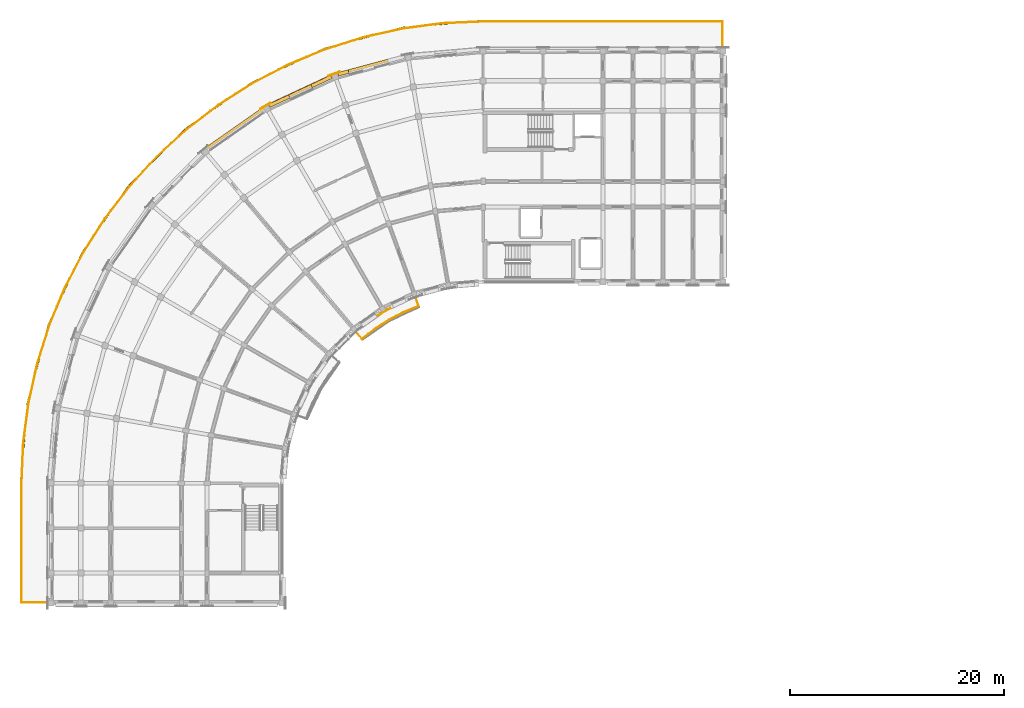
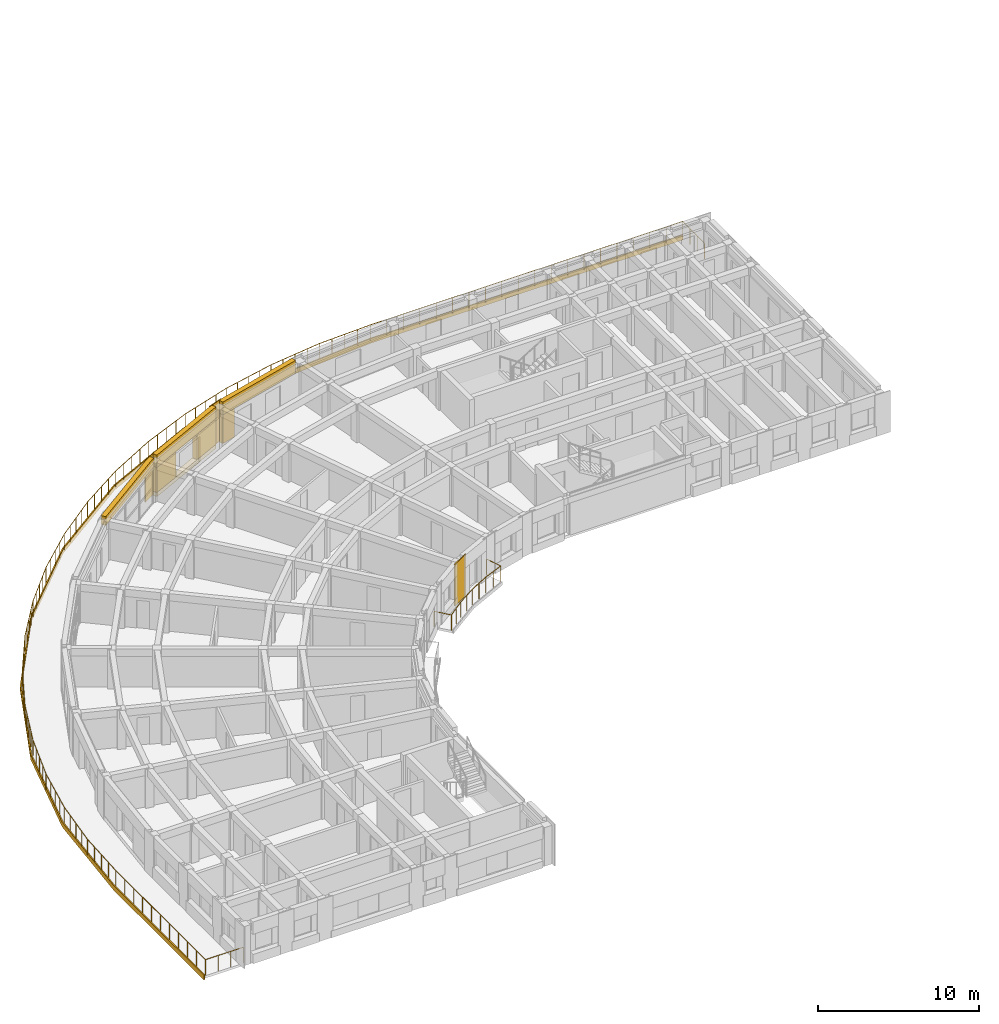
# One storey, part 20 of 23: 11 coverings, 2 railings.
"""IFC4 building model written with IfcOpenShell, lengths in metres."""

from ifc_helpers import new_model, si_unit, direction, frame, origin, origin_2d, place, context, subcontext, project, spatial, polyline, circle, outline, extrude, material, layer, layer_set, type_object, element, save


model = new_model("IFC4")

# Units and contexts
model_context = context("Model", 3, precision=1e-05, world=origin(), true_north=direction((0.0, 1.0)))
body_context = subcontext(model_context, "Body", "Model", "MODEL_VIEW")
ifc_project = project(units=[si_unit("LENGTHUNIT", "METRE"), si_unit("AREAUNIT", "SQUARE_METRE"), si_unit("VOLUMEUNIT", "CUBIC_METRE"), si_unit("PLANEANGLEUNIT", "RADIAN"), si_unit("MASSUNIT", "GRAM", prefix="KILO")], contexts=[model_context])

# Site, building, storey
site_placement = place(None, origin())
site = spatial("IfcSite", under=ifc_project, at=site_placement, CompositionType="ELEMENT")
building_placement = place(site_placement, origin())
building = spatial("IfcBuilding", under=site, at=building_placement, Name="Kiranvali Square Residences", CompositionType="ELEMENT")
storey_placement = place(building_placement, frame((0.0, 0.0, 43.35009765625)))
storey = spatial("IfcBuildingStorey", under=building, at=storey_placement, Name="L13", CompositionType="ELEMENT", Elevation=43.35009765625)

# Coverings
ifc_material_1 = material(Name="Carved Porbandar limestone classical entablature and cornice", Category="masonry")
ifc_layer_1 = layer(ifc_material_1, 0.449951171875)
ifc_layer_set_1 = layer_set([ifc_layer_1], Name="Carved Porbandar limestone classical entablature and cornice")
covering_type_1 = type_object("IfcCoveringType", Name="COV-CLAD-CORN", PredefinedType="CLADDING", material=ifc_layer_set_1)
covering_1_placement = place(storey_placement, frame((0.0, 0.0, -0.280029296875)))
element("IfcCovering", 1, at=covering_1_placement, inside=storey, type_object=covering_type_1, Name="Block A L13 stepped curved terrace stone cornice band", PredefinedType="CLADDING", context=body_context, shape_type="SweptSolid", body=[
    extrude(outline(polyline([(70.60009765625, 131.0849609375), (48.199951171875, 131.0849609375), (40.68359375, 130.427490234375), (33.395751953125, 128.474609375), (26.5576171875, 125.285888671875), (20.376953125, 120.958251953125), (15.041748046875, 115.623046875), (10.714111328125, 109.4423828125), (7.525390625, 102.604248046875), (5.572509765625, 95.31640625), (4.9150390625, 87.800048828125), (4.9150390625, 76.60009765625), (4.998046875, 76.60009765625), (4.998046875, 87.800048828125), (5.654296875, 95.302001953125), (7.603515625, 102.575927734375), (10.785888671875, 109.40087890625), (15.10546875, 115.56982421875), (20.43017578125, 120.89453125), (26.59912109375, 125.214111328125), (33.424072265625, 128.396484375), (40.697998046875, 130.345703125), (48.199951171875, 131.001953125), (70.60009765625, 131.001953125), (70.60009765625, 131.0849609375)])), origin(), (0.0, 0.0, 1.0), 0.35986328125),
])
ifc_material_2 = material(Name="Honed Porbandar limestone ashlar facade cladding", Category="masonry")
ifc_layer_2 = layer(ifc_material_2, 0.3798828125)
ifc_layer_set_2 = layer_set([ifc_layer_2], Name="Honed Porbandar limestone ashlar facade cladding")
covering_type_2 = type_object("IfcCoveringType", Name="COV-CLAD-JAMB", PredefinedType="CLADDING", material=ifc_layer_set_2)
covering_2_placement = place(storey_placement, origin())
element("IfcCovering", 2, at=covering_2_placement, inside=storey, type_object=covering_type_2, Name="L13 deep limestone window jamb reveal A-L13-CRV-01.R", PredefinedType="CLADDING", context=body_context, shape_type="SweptSolid", body=[
    extrude(outline(polyline([(35.587158203125, 126.43310546875), (34.609619140625, 126.17138671875), (34.6962890625, 125.84814453125), (35.673583984375, 126.110107421875), (35.587158203125, 126.43310546875)])), origin(), (0.0, 0.0, 1.0), 2.179931640625),
])
covering_3_placement = place(storey_placement, frame((0.0, 0.0, 0.31201171875)))
element("IfcCovering", 3, at=covering_3_placement, inside=storey, type_object=covering_type_2, Name="L13 deep limestone window jamb reveal A-L13-CRV-02.L", PredefinedType="CLADDING", context=body_context, shape_type="SweptSolid", body=[
    extrude(outline(polyline([(33.9462890625, 125.929931640625), (32.091796875, 125.065185546875), (32.233154296875, 124.761962890625), (34.087646484375, 125.626708984375), (33.9462890625, 125.929931640625)])), origin(), (0.0, 0.0, 1.0), 1.89990234375),
])
covering_4_placement = place(storey_placement, frame((0.0, 0.0, 0.31201171875)))
element("IfcCovering", 4, at=covering_4_placement, inside=storey, type_object=covering_type_2, Name="L13 deep limestone window jamb reveal A-L13-CRV-02.R", PredefinedType="CLADDING", context=body_context, shape_type="SweptSolid", body=[
    extrude(outline(polyline([(30.00732421875, 124.093017578125), (28.153076171875, 123.228271484375), (28.29443359375, 122.92529296875), (30.148681640625, 123.7900390625), (30.00732421875, 124.093017578125)])), origin(), (0.0, 0.0, 1.0), 1.89990234375),
])
ifc_layer_3 = layer(ifc_material_2, 0.06494140625)
ifc_layer_set_3 = layer_set([ifc_layer_3], Name="Honed Porbandar limestone ashlar facade cladding")
covering_type_3 = type_object("IfcCoveringType", Name="COV-CLAD-PIER", PredefinedType="CLADDING", material=ifc_layer_set_3)
covering_5_placement = place(storey_placement, frame((0.0, 0.0, 0.0048828125)))
element("IfcCovering", 5, at=covering_5_placement, inside=storey, type_object=covering_type_3, Name="L13 Classical limestone corner pilaster CLAD-PR-A-L13-A02", PredefinedType="CLADDING", context=body_context, shape_type="SweptSolid", body=[
    extrude(outline(polyline([(34.78662109375, 126.275634765625), (33.74365234375, 125.89599609375), (33.7666015625, 125.832763671875), (34.8095703125, 126.21240234375), (34.78662109375, 126.275634765625)])), origin(), (0.0, 0.0, 1.0), 3.14013671875),
])
covering_6_placement = place(storey_placement, frame((0.0, 0.0, 0.0048828125)))
element("IfcCovering", 6, at=covering_6_placement, inside=storey, type_object=covering_type_3, Name="L13 Classical limestone corner pilaster CLAD-PR-A-L13-A03", PredefinedType="CLADDING", context=body_context, shape_type="SweptSolid", body=[
    extrude(outline(polyline([(28.30908203125, 123.362060546875), (27.347900390625, 122.806884765625), (27.381591796875, 122.74853515625), (28.3427734375, 123.303466796875), (28.30908203125, 123.362060546875)])), origin(), (0.0, 0.0, 1.0), 3.14013671875),
])
ifc_layer_4 = layer(ifc_material_2, 0.050048828125)
ifc_layer_set_4 = layer_set([ifc_layer_4], Name="Honed Porbandar limestone ashlar facade cladding")
covering_type_4 = type_object("IfcCoveringType", Name="COV-CLAD-PIER-IN", PredefinedType="CLADDING", material=ifc_layer_set_4)
covering_7_placement = place(storey_placement, frame((0.0, 0.0, 0.0048828125)))
element("IfcCovering", 7, at=covering_7_placement, inside=storey, type_object=covering_type_4, Name="L13 Classical garden courtyard pilaster CLAD-PRIN-A-L13-A03", PredefinedType="CLADDING", context=body_context, shape_type="SweptSolid", body=[
    extrude(outline(polyline([(38.386962890625, 103.44677734375), (39.55615234375, 104.121826171875), (39.522216796875, 104.18017578125), (38.353271484375, 103.505126953125), (38.386962890625, 103.44677734375)])), origin(), (0.0, 0.0, 1.0), 3.14013671875),
])
ifc_layer_5 = layer(ifc_material_2, 0.360107421875)
ifc_layer_set_5 = layer_set([ifc_layer_5], Name="Honed Porbandar limestone ashlar facade cladding")
covering_type_5 = type_object("IfcCoveringType", Name="COV-CLAD-WALL", PredefinedType="CLADDING", material=ifc_layer_set_5)
covering_8_placement = place(storey_placement, frame((0.0, 0.0, 2.179931640625)))
element("IfcCovering", 8, at=covering_8_placement, inside=storey, type_object=covering_type_5, Name="L13 light limestone spandrel lintel A-L13-CRV-01", PredefinedType="CLADDING", context=body_context, shape_type="SweptSolid", body=[
    extrude(outline(polyline([(40.783935546875, 127.82568359375), (34.609619140625, 126.17138671875), (34.6962890625, 125.84814453125), (40.87060546875, 127.502685546875), (40.783935546875, 127.82568359375)])), origin(), (0.0, 0.0, 1.0), 0.965087890625),
])
covering_9_placement = place(storey_placement, frame((0.0, 0.0, 2.2119140625)))
element("IfcCovering", 9, at=covering_9_placement, inside=storey, type_object=covering_type_5, Name="L13 light limestone spandrel lintel A-L13-CRV-02", PredefinedType="CLADDING", context=body_context, shape_type="SweptSolid", body=[
    extrude(outline(polyline([(33.9462890625, 125.929931640625), (28.153076171875, 123.228271484375), (28.29443359375, 122.92529296875), (34.087646484375, 125.626708984375), (33.9462890625, 125.929931640625)])), origin(), (0.0, 0.0, 1.0), 0.93310546875),
])
covering_10_placement = place(storey_placement, frame((0.0, 0.0, 2.47998046875)))
element("IfcCovering", 10, at=covering_10_placement, inside=storey, type_object=covering_type_5, Name="Block A L13 limestone terrace header 4", PredefinedType="CLADDING", context=body_context, shape_type="SweptSolid", body=[
    extrude(outline(polyline([(27.807861328125, 123.061767578125), (22.039306640625, 119.022705078125), (22.230224609375, 118.749755859375), (27.998779296875, 122.7890625), (27.807861328125, 123.061767578125)])), origin(), (0.0, 0.0, 1.0), 0.6650390625),
])
ifc_layer_6 = layer(ifc_material_2, 0.320068359375)
ifc_layer_set_6 = layer_set([ifc_layer_6], Name="Honed Porbandar limestone ashlar facade cladding")
covering_type_6 = type_object("IfcCoveringType", Name="COV-CLAD-WALL-UP", PredefinedType="CLADDING", material=ifc_layer_set_6)
covering_11_placement = place(storey_placement, frame((0.0, 0.0, 0.0048828125)))
element("IfcCovering", 11, at=covering_11_placement, inside=storey, type_object=covering_type_6, Name="L13 limestone window sill apron A-L13-CRV-02", PredefinedType="CLADDING", context=body_context, shape_type="SweptSolid", body=[
    extrude(outline(polyline([(33.93359375, 125.95703125), (28.140380859375, 123.255615234375), (28.29443359375, 122.92529296875), (34.087646484375, 125.626708984375), (33.93359375, 125.95703125)])), origin(), (0.0, 0.0, 1.0), 0.30712890625),
])

# Railings
ifc_material_3 = material(Name="Powder-coated architectural bronze balustrade", Category="steel")
railing_type_1 = type_object("IfcRailingType", Name="RL-BAL-GOLD-1200", PredefinedType="BALUSTRADE", material=ifc_material_3)
railing_1_placement = place(storey_placement, frame((41.78369140625, 105.4287109375, 0.0)))
element("IfcRailing", 12, at=railing_1_placement, inside=storey, type_object=railing_type_1, Name="Block A L13 garden balcony gold balustrade 1", PredefinedType="BALUSTRADE", context=body_context, shape_type="SweptSolid", body=[
    extrude(circle(Radius=0.02392578125, at=origin_2d()), frame((0.0, 0.0, 1.17578125), z_axis=(0.341964618562, -0.939712828289, 0.0), x_axis=(0.939712828289, 0.341964618562, 0.0)), (0.0, 0.0, 1.0), 1.150146484375),
    extrude(circle(Radius=0.02392578125, at=origin_2d()), frame((0.393310546875, -1.080810546875, 1.17578125), z_axis=(-0.923892883829, -0.382651197843, 0.0), x_axis=(0.382651197843, -0.923892883829, 0.0)), (0.0, 0.0, 1.0), 1.536376953125),
    extrude(circle(Radius=0.02392578125, at=origin_2d()), frame((-1.026123046875, -1.668701171875, 1.17578125), z_axis=(-0.887029366154, -0.461713009976, 0.0), x_axis=(0.461713009976, -0.887029366154, 0.0)), (0.0, 0.0, 1.0), 1.5361328125),
    extrude(circle(Radius=0.02392578125, at=origin_2d()), frame((-2.388671875, -2.3779296875, 1.17578125), z_axis=(-0.843386539688, -0.537307309343, 0.0), x_axis=(0.537307309343, -0.843386539688, 0.0)), (0.0, 0.0, 1.0), 1.5361328125),
    extrude(circle(Radius=0.02392578125, at=origin_2d()), frame((-3.684326171875, -3.203369140625, 1.17578125), z_axis=(-0.793314680996, -0.608811807471, 0.0), x_axis=(0.608811807471, -0.793314680996, 0.0)), (0.0, 0.0, 1.0), 1.536376953125),
    extrude(circle(Radius=0.02392578125, at=origin_2d()), frame((-4.903076171875, -4.138671875, 1.17578125), z_axis=(-0.642853454051, 0.765989188314, 0.0), x_axis=(-0.765989188314, -0.642853454051, 0.0)), (0.0, 0.0, 1.0), 1.14990234375),
    extrude(circle(Radius=0.02099609375, at=origin_2d()), origin(), (0.0, 0.0, 1.0), 1.15185546875),
    extrude(circle(Radius=0.02099609375, at=origin_2d()), frame((0.393310546875, -1.080810546875, 0.0)), (0.0, 0.0, 1.0), 1.15185546875),
    extrude(circle(Radius=0.02099609375, at=origin_2d()), frame((-0.31640625, -1.374755859375, 0.0)), (0.0, 0.0, 1.0), 1.15185546875),
    extrude(circle(Radius=0.02099609375, at=origin_2d()), frame((-1.026123046875, -1.668701171875, 0.0)), (0.0, 0.0, 1.0), 1.15185546875),
    extrude(circle(Radius=0.02099609375, at=origin_2d()), frame((-1.70751953125, -2.0234375, 0.0)), (0.0, 0.0, 1.0), 1.15185546875),
    extrude(circle(Radius=0.02099609375, at=origin_2d()), frame((-2.388671875, -2.3779296875, 0.0)), (0.0, 0.0, 1.0), 1.15185546875),
    extrude(circle(Radius=0.02099609375, at=origin_2d()), frame((-3.03662109375, -2.79052734375, 0.0)), (0.0, 0.0, 1.0), 1.15185546875),
    extrude(circle(Radius=0.02099609375, at=origin_2d()), frame((-3.684326171875, -3.203369140625, 0.0)), (0.0, 0.0, 1.0), 1.15185546875),
    extrude(circle(Radius=0.02099609375, at=origin_2d()), frame((-4.293701171875, -3.6708984375, 0.0)), (0.0, 0.0, 1.0), 1.15185546875),
    extrude(circle(Radius=0.02099609375, at=origin_2d()), frame((-4.903076171875, -4.138671875, 0.0)), (0.0, 0.0, 1.0), 1.15185546875),
    extrude(circle(Radius=0.02099609375, at=origin_2d()), frame((-5.642333984375, -3.2578125, 0.0)), (0.0, 0.0, 1.0), 1.15185546875),
])
railing_type_2 = type_object("IfcRailingType", Name="RL-TER-GOLD-1200", PredefinedType="BALUSTRADE", material=ifc_material_3)
railing_2_placement = place(storey_placement, frame((70.550048828125, 128.239990234375, 0.0)))
element("IfcRailing", 13, at=railing_2_placement, inside=storey, type_object=railing_type_2, Name="Block A L13 stepped curved corner terrace gold balustrade", PredefinedType="BALUSTRADE", context=body_context, shape_type="SweptSolid", body=[
    extrude(circle(Radius=0.02392578125, at=origin_2d()), frame((0.0, 0.0, 1.17578125), z_axis=(0.0, 1.0, 0.0), x_axis=(-1.0, 0.0, 0.0)), (0.0, 0.0, 1.0), 2.699951171875),
    extrude(circle(Radius=0.02392578125, at=origin_2d()), frame((0.0, 2.699951171875, 1.17578125), z_axis=(-1.0, 0.0, 0.0), x_axis=(0.0, -1.0, 0.0)), (0.0, 0.0, 1.0), 22.35009765625),
    extrude(circle(Radius=0.02392578125, at=origin_2d()), frame((-22.35009765625, 2.699951171875, 1.17578125), z_axis=(-0.999049291375, -0.043594878169, 0.0), x_axis=(0.043594878169, -0.999049291375, 0.0)), (0.0, 0.0, 1.0), 3.763427734375),
    extrude(circle(Radius=0.02392578125, at=origin_2d()), frame((-26.10986328125, 2.535888671875, 1.17578125), z_axis=(-0.991446345244, -0.130514920612, 0.0), x_axis=(0.130514920612, -0.991446345244, 0.0)), (0.0, 0.0, 1.0), 3.763671875),
    extrude(circle(Radius=0.02392578125, at=origin_2d()), frame((-29.84130859375, 2.044677734375, 1.17578125), z_axis=(-0.976286176868, -0.216483950575, 0.0), x_axis=(0.216483950575, -0.976286176868, 0.0)), (0.0, 0.0, 1.0), 3.763427734375),
    extrude(circle(Radius=0.02392578125, at=origin_2d()), frame((-33.515380859375, 1.22998046875, 1.17578125), z_axis=(-0.953726676366, -0.300674952045, 0.0), x_axis=(0.300674952045, -0.953726676366, 0.0)), (0.0, 0.0, 1.0), 3.763427734375),
    extrude(circle(Radius=0.02392578125, at=origin_2d()), frame((-37.104736328125, 0.098388671875, 1.17578125), z_axis=(-0.923884797313, -0.382670721763, 0.0), x_axis=(0.382670721763, -0.923884797313, 0.0)), (0.0, 0.0, 1.0), 3.763427734375),
    extrude(circle(Radius=0.02392578125, at=origin_2d()), frame((-40.581787109375, -1.341796875, 1.17578125), z_axis=(-0.887017046177, -0.461736677979, 0.0), x_axis=(0.461736677979, -0.887017046177, 0.0)), (0.0, 0.0, 1.0), 3.763671875),
    extrude(circle(Radius=0.02392578125, at=origin_2d()), frame((-43.920166015625, -3.07958984375, 1.17578125), z_axis=(-0.843378230808, -0.537320351187, 0.0), x_axis=(0.537320351187, -0.843378230808, 0.0)), (0.0, 0.0, 1.0), 3.763427734375),
    extrude(circle(Radius=0.02392578125, at=origin_2d()), frame((-47.09423828125, -5.101806640625, 1.17578125), z_axis=(-0.793342115152, -0.608776057616, 0.0), x_axis=(0.608776057616, -0.793342115152, 0.0)), (0.0, 0.0, 1.0), 3.763427734375),
    extrude(circle(Radius=0.02392578125, at=origin_2d()), frame((-50.079833984375, -7.392822265625, 1.17578125), z_axis=(-0.737310297647, -0.675554235412, 0.0), x_axis=(0.675554235412, -0.737310297647, 0.0)), (0.0, 0.0, 1.0), 3.763427734375),
    extrude(circle(Radius=0.02392578125, at=origin_2d()), frame((-52.854736328125, -9.935302734375, 1.17578125), z_axis=(-0.675554235412, -0.737310297647, 0.0), x_axis=(0.737310297647, -0.675554235412, 0.0)), (0.0, 0.0, 1.0), 3.763427734375),
    extrude(circle(Radius=0.02392578125, at=origin_2d()), frame((-55.397216796875, -12.710205078125, 1.17578125), z_axis=(-0.608776057616, -0.793342115152, 0.0), x_axis=(0.793342115152, -0.608776057616, 0.0)), (0.0, 0.0, 1.0), 3.763427734375),
    extrude(circle(Radius=0.02392578125, at=origin_2d()), frame((-57.688232421875, -15.69580078125, 1.17578125), z_axis=(-0.537320351187, -0.843378230808, 0.0), x_axis=(0.843378230808, -0.537320351187, 0.0)), (0.0, 0.0, 1.0), 3.763427734375),
    extrude(circle(Radius=0.02392578125, at=origin_2d()), frame((-59.71044921875, -18.869873046875, 1.17578125), z_axis=(-0.461736677979, -0.887017046177, 0.0), x_axis=(0.887017046177, -0.461736677979, 0.0)), (0.0, 0.0, 1.0), 3.763671875),
    extrude(circle(Radius=0.02392578125, at=origin_2d()), frame((-61.4482421875, -22.208251953125, 1.17578125), z_axis=(-0.382670721763, -0.923884797313, 0.0), x_axis=(0.923884797313, -0.382670721763, 0.0)), (0.0, 0.0, 1.0), 3.763427734375),
    extrude(circle(Radius=0.02392578125, at=origin_2d()), frame((-62.888427734375, -25.685302734375, 1.17578125), z_axis=(-0.300674952045, -0.953726676366, 0.0), x_axis=(0.953726676366, -0.300674952045, 0.0)), (0.0, 0.0, 1.0), 3.763427734375),
    extrude(circle(Radius=0.02392578125, at=origin_2d()), frame((-64.02001953125, -29.274658203125, 1.17578125), z_axis=(-0.216483950575, -0.976286176868, 0.0), x_axis=(0.976286176868, -0.216483950575, 0.0)), (0.0, 0.0, 1.0), 3.763427734375),
    extrude(circle(Radius=0.02392578125, at=origin_2d()), frame((-64.834716796875, -32.94873046875, 1.17578125), z_axis=(-0.130514920612, -0.991446345244, 0.0), x_axis=(0.991446345244, -0.130514920612, 0.0)), (0.0, 0.0, 1.0), 3.763671875),
    extrude(circle(Radius=0.02392578125, at=origin_2d()), frame((-65.325927734375, -36.68017578125, 1.17578125), z_axis=(-0.043594878169, -0.999049291375, 0.0), x_axis=(0.999049291375, -0.043594878169, 0.0)), (0.0, 0.0, 1.0), 3.763427734375),
    extrude(circle(Radius=0.02392578125, at=origin_2d()), frame((-65.489990234375, -40.43994140625, 1.17578125), z_axis=(0.0, -1.0, 0.0), x_axis=(1.0, 0.0, 0.0)), (0.0, 0.0, 1.0), 11.150146484375),
    extrude(circle(Radius=0.02392578125, at=origin_2d()), frame((-65.489990234375, -51.590087890625, 1.17578125), z_axis=(1.0, 0.0, 0.0), x_axis=(0.0, 1.0, 0.0)), (0.0, 0.0, 1.0), 2.699951171875),
    extrude(circle(Radius=0.02099609375, at=origin_2d()), origin(), (0.0, 0.0, 1.0), 1.15185546875),
    extrude(circle(Radius=0.02099609375, at=origin_2d()), frame((0.0, 0.89990234375, 0.0)), (0.0, 0.0, 1.0), 1.15185546875),
    extrude(circle(Radius=0.02099609375, at=origin_2d()), frame((0.0, 1.800048828125, 0.0)), (0.0, 0.0, 1.0), 1.15185546875),
    extrude(circle(Radius=0.02099609375, at=origin_2d()), frame((0.0, 2.699951171875, 0.0)), (0.0, 0.0, 1.0), 1.15185546875),
    extrude(circle(Radius=0.02099609375, at=origin_2d()), frame((-1.17626953125, 2.699951171875, 0.0)), (0.0, 0.0, 1.0), 1.15185546875),
    extrude(circle(Radius=0.02099609375, at=origin_2d()), frame((-2.3525390625, 2.699951171875, 0.0)), (0.0, 0.0, 1.0), 1.15185546875),
    extrude(circle(Radius=0.02099609375, at=origin_2d()), frame((-3.529052734375, 2.699951171875, 0.0)), (0.0, 0.0, 1.0), 1.15185546875),
    extrude(circle(Radius=0.02099609375, at=origin_2d()), frame((-4.705322265625, 2.699951171875, 0.0)), (0.0, 0.0, 1.0), 1.15185546875),
    extrude(circle(Radius=0.02099609375, at=origin_2d()), frame((-5.881591796875, 2.699951171875, 0.0)), (0.0, 0.0, 1.0), 1.15185546875),
    extrude(circle(Radius=0.02099609375, at=origin_2d()), frame((-7.057861328125, 2.699951171875, 0.0)), (0.0, 0.0, 1.0), 1.15185546875),
    extrude(circle(Radius=0.02099609375, at=origin_2d()), frame((-8.234130859375, 2.699951171875, 0.0)), (0.0, 0.0, 1.0), 1.15185546875),
    extrude(circle(Radius=0.02099609375, at=origin_2d()), frame((-9.41064453125, 2.699951171875, 0.0)), (0.0, 0.0, 1.0), 1.15185546875),
    extrude(circle(Radius=0.02099609375, at=origin_2d()), frame((-10.5869140625, 2.699951171875, 0.0)), (0.0, 0.0, 1.0), 1.15185546875),
    extrude(circle(Radius=0.02099609375, at=origin_2d()), frame((-11.76318359375, 2.699951171875, 0.0)), (0.0, 0.0, 1.0), 1.15185546875),
    extrude(circle(Radius=0.02099609375, at=origin_2d()), frame((-12.939453125, 2.699951171875, 0.0)), (0.0, 0.0, 1.0), 1.15185546875),
    extrude(circle(Radius=0.02099609375, at=origin_2d()), frame((-14.115966796875, 2.699951171875, 0.0)), (0.0, 0.0, 1.0), 1.15185546875),
    extrude(circle(Radius=0.02099609375, at=origin_2d()), frame((-15.292236328125, 2.699951171875, 0.0)), (0.0, 0.0, 1.0), 1.15185546875),
    extrude(circle(Radius=0.02099609375, at=origin_2d()), frame((-16.468505859375, 2.699951171875, 0.0)), (0.0, 0.0, 1.0), 1.15185546875),
    extrude(circle(Radius=0.02099609375, at=origin_2d()), frame((-17.644775390625, 2.699951171875, 0.0)), (0.0, 0.0, 1.0), 1.15185546875),
    extrude(circle(Radius=0.02099609375, at=origin_2d()), frame((-18.821044921875, 2.699951171875, 0.0)), (0.0, 0.0, 1.0), 1.15185546875),
    extrude(circle(Radius=0.02099609375, at=origin_2d()), frame((-19.99755859375, 2.699951171875, 0.0)), (0.0, 0.0, 1.0), 1.15185546875),
    extrude(circle(Radius=0.02099609375, at=origin_2d()), frame((-21.173828125, 2.699951171875, 0.0)), (0.0, 0.0, 1.0), 1.15185546875),
    extrude(circle(Radius=0.02099609375, at=origin_2d()), frame((-22.35009765625, 2.699951171875, 0.0)), (0.0, 0.0, 1.0), 1.15185546875),
    extrude(circle(Radius=0.02099609375, at=origin_2d()), frame((-23.2900390625, 2.658935546875, 0.0)), (0.0, 0.0, 1.0), 1.15185546875),
    extrude(circle(Radius=0.02099609375, at=origin_2d()), frame((-24.22998046875, 2.617919921875, 0.0)), (0.0, 0.0, 1.0), 1.15185546875),
    extrude(circle(Radius=0.02099609375, at=origin_2d()), frame((-25.169921875, 2.576904296875, 0.0)), (0.0, 0.0, 1.0), 1.15185546875),
    extrude(circle(Radius=0.02099609375, at=origin_2d()), frame((-26.10986328125, 2.535888671875, 0.0)), (0.0, 0.0, 1.0), 1.15185546875),
    extrude(circle(Radius=0.02099609375, at=origin_2d()), frame((-27.042724609375, 2.4130859375, 0.0)), (0.0, 0.0, 1.0), 1.15185546875),
    extrude(circle(Radius=0.02099609375, at=origin_2d()), frame((-27.9755859375, 2.290283203125, 0.0)), (0.0, 0.0, 1.0), 1.15185546875),
    extrude(circle(Radius=0.02099609375, at=origin_2d()), frame((-28.908447265625, 2.16748046875, 0.0)), (0.0, 0.0, 1.0), 1.15185546875),
    extrude(circle(Radius=0.02099609375, at=origin_2d()), frame((-29.84130859375, 2.044677734375, 0.0)), (0.0, 0.0, 1.0), 1.15185546875),
    extrude(circle(Radius=0.02099609375, at=origin_2d()), frame((-30.759765625, 1.841064453125, 0.0)), (0.0, 0.0, 1.0), 1.15185546875),
    extrude(circle(Radius=0.02099609375, at=origin_2d()), frame((-31.67822265625, 1.63720703125, 0.0)), (0.0, 0.0, 1.0), 1.15185546875),
    extrude(circle(Radius=0.02099609375, at=origin_2d()), frame((-32.596923828125, 1.43359375, 0.0)), (0.0, 0.0, 1.0), 1.15185546875),
    extrude(circle(Radius=0.02099609375, at=origin_2d()), frame((-33.515380859375, 1.22998046875, 0.0)), (0.0, 0.0, 1.0), 1.15185546875),
    extrude(circle(Radius=0.02099609375, at=origin_2d()), frame((-34.41259765625, 0.947021484375, 0.0)), (0.0, 0.0, 1.0), 1.15185546875),
    extrude(circle(Radius=0.02099609375, at=origin_2d()), frame((-35.31005859375, 0.6640625, 0.0)), (0.0, 0.0, 1.0), 1.15185546875),
    extrude(circle(Radius=0.02099609375, at=origin_2d()), frame((-36.20751953125, 0.38134765625, 0.0)), (0.0, 0.0, 1.0), 1.15185546875),
    extrude(circle(Radius=0.02099609375, at=origin_2d()), frame((-37.104736328125, 0.098388671875, 0.0)), (0.0, 0.0, 1.0), 1.15185546875),
    extrude(circle(Radius=0.02099609375, at=origin_2d()), frame((-37.97412109375, -0.26171875, 0.0)), (0.0, 0.0, 1.0), 1.15185546875),
    extrude(circle(Radius=0.02099609375, at=origin_2d()), frame((-38.84326171875, -0.62158203125, 0.0)), (0.0, 0.0, 1.0), 1.15185546875),
    extrude(circle(Radius=0.02099609375, at=origin_2d()), frame((-39.71240234375, -0.981689453125, 0.0)), (0.0, 0.0, 1.0), 1.15185546875),
    extrude(circle(Radius=0.02099609375, at=origin_2d()), frame((-40.581787109375, -1.341796875, 0.0)), (0.0, 0.0, 1.0), 1.15185546875),
    extrude(circle(Radius=0.02099609375, at=origin_2d()), frame((-41.41650390625, -1.7763671875, 0.0)), (0.0, 0.0, 1.0), 1.15185546875),
    extrude(circle(Radius=0.02099609375, at=origin_2d()), frame((-42.2509765625, -2.210693359375, 0.0)), (0.0, 0.0, 1.0), 1.15185546875),
    extrude(circle(Radius=0.02099609375, at=origin_2d()), frame((-43.08544921875, -2.64501953125, 0.0)), (0.0, 0.0, 1.0), 1.15185546875),
    extrude(circle(Radius=0.02099609375, at=origin_2d()), frame((-43.920166015625, -3.07958984375, 0.0)), (0.0, 0.0, 1.0), 1.15185546875),
    extrude(circle(Radius=0.02099609375, at=origin_2d()), frame((-44.713623046875, -3.585205078125, 0.0)), (0.0, 0.0, 1.0), 1.15185546875),
    extrude(circle(Radius=0.02099609375, at=origin_2d()), frame((-45.50732421875, -4.0908203125, 0.0)), (0.0, 0.0, 1.0), 1.15185546875),
    extrude(circle(Radius=0.02099609375, at=origin_2d()), frame((-46.30078125, -4.59619140625, 0.0)), (0.0, 0.0, 1.0), 1.15185546875),
    extrude(circle(Radius=0.02099609375, at=origin_2d()), frame((-47.09423828125, -5.101806640625, 0.0)), (0.0, 0.0, 1.0), 1.15185546875),
    extrude(circle(Radius=0.02099609375, at=origin_2d()), frame((-47.840576171875, -5.674560546875, 0.0)), (0.0, 0.0, 1.0), 1.15185546875),
    extrude(circle(Radius=0.02099609375, at=origin_2d()), frame((-48.5869140625, -6.247314453125, 0.0)), (0.0, 0.0, 1.0), 1.15185546875),
    extrude(circle(Radius=0.02099609375, at=origin_2d()), frame((-49.33349609375, -6.820068359375, 0.0)), (0.0, 0.0, 1.0), 1.15185546875),
    extrude(circle(Radius=0.02099609375, at=origin_2d()), frame((-50.079833984375, -7.392822265625, 0.0)), (0.0, 0.0, 1.0), 1.15185546875),
    extrude(circle(Radius=0.02099609375, at=origin_2d()), frame((-50.7734375, -8.0283203125, 0.0)), (0.0, 0.0, 1.0), 1.15185546875),
    extrude(circle(Radius=0.02099609375, at=origin_2d()), frame((-51.46728515625, -8.6640625, 0.0)), (0.0, 0.0, 1.0), 1.15185546875),
    extrude(circle(Radius=0.02099609375, at=origin_2d()), frame((-52.1611328125, -9.2998046875, 0.0)), (0.0, 0.0, 1.0), 1.15185546875),
    extrude(circle(Radius=0.02099609375, at=origin_2d()), frame((-52.854736328125, -9.935302734375, 0.0)), (0.0, 0.0, 1.0), 1.15185546875),
    extrude(circle(Radius=0.02099609375, at=origin_2d()), frame((-53.490234375, -10.62890625, 0.0)), (0.0, 0.0, 1.0), 1.15185546875),
    extrude(circle(Radius=0.02099609375, at=origin_2d()), frame((-54.1259765625, -11.32275390625, 0.0)), (0.0, 0.0, 1.0), 1.15185546875),
    extrude(circle(Radius=0.02099609375, at=origin_2d()), frame((-54.76171875, -12.0166015625, 0.0)), (0.0, 0.0, 1.0), 1.15185546875),
    extrude(circle(Radius=0.02099609375, at=origin_2d()), frame((-55.397216796875, -12.710205078125, 0.0)), (0.0, 0.0, 1.0), 1.15185546875),
    extrude(circle(Radius=0.02099609375, at=origin_2d()), frame((-55.969970703125, -13.45654296875, 0.0)), (0.0, 0.0, 1.0), 1.15185546875),
    extrude(circle(Radius=0.02099609375, at=origin_2d()), frame((-56.542724609375, -14.203125, 0.0)), (0.0, 0.0, 1.0), 1.15185546875),
    extrude(circle(Radius=0.02099609375, at=origin_2d()), frame((-57.115478515625, -14.949462890625, 0.0)), (0.0, 0.0, 1.0), 1.15185546875),
    extrude(circle(Radius=0.02099609375, at=origin_2d()), frame((-57.688232421875, -15.69580078125, 0.0)), (0.0, 0.0, 1.0), 1.15185546875),
    extrude(circle(Radius=0.02099609375, at=origin_2d()), frame((-58.19384765625, -16.4892578125, 0.0)), (0.0, 0.0, 1.0), 1.15185546875),
    extrude(circle(Radius=0.02099609375, at=origin_2d()), frame((-58.69921875, -17.28271484375, 0.0)), (0.0, 0.0, 1.0), 1.15185546875),
    extrude(circle(Radius=0.02099609375, at=origin_2d()), frame((-59.204833984375, -18.076416015625, 0.0)), (0.0, 0.0, 1.0), 1.15185546875),
    extrude(circle(Radius=0.02099609375, at=origin_2d()), frame((-59.71044921875, -18.869873046875, 0.0)), (0.0, 0.0, 1.0), 1.15185546875),
    extrude(circle(Radius=0.02099609375, at=origin_2d()), frame((-60.14501953125, -19.70458984375, 0.0)), (0.0, 0.0, 1.0), 1.15185546875),
    extrude(circle(Radius=0.02099609375, at=origin_2d()), frame((-60.579345703125, -20.5390625, 0.0)), (0.0, 0.0, 1.0), 1.15185546875),
    extrude(circle(Radius=0.02099609375, at=origin_2d()), frame((-61.013671875, -21.37353515625, 0.0)), (0.0, 0.0, 1.0), 1.15185546875),
    extrude(circle(Radius=0.02099609375, at=origin_2d()), frame((-61.4482421875, -22.208251953125, 0.0)), (0.0, 0.0, 1.0), 1.15185546875),
    extrude(circle(Radius=0.02099609375, at=origin_2d()), frame((-61.808349609375, -23.07763671875, 0.0)), (0.0, 0.0, 1.0), 1.15185546875),
    extrude(circle(Radius=0.02099609375, at=origin_2d()), frame((-62.16845703125, -23.94677734375, 0.0)), (0.0, 0.0, 1.0), 1.15185546875),
    extrude(circle(Radius=0.02099609375, at=origin_2d()), frame((-62.5283203125, -24.81591796875, 0.0)), (0.0, 0.0, 1.0), 1.15185546875),
    extrude(circle(Radius=0.02099609375, at=origin_2d()), frame((-62.888427734375, -25.685302734375, 0.0)), (0.0, 0.0, 1.0), 1.15185546875),
    extrude(circle(Radius=0.02099609375, at=origin_2d()), frame((-63.17138671875, -26.58251953125, 0.0)), (0.0, 0.0, 1.0), 1.15185546875),
    extrude(circle(Radius=0.02099609375, at=origin_2d()), frame((-63.4541015625, -27.47998046875, 0.0)), (0.0, 0.0, 1.0), 1.15185546875),
    extrude(circle(Radius=0.02099609375, at=origin_2d()), frame((-63.737060546875, -28.37744140625, 0.0)), (0.0, 0.0, 1.0), 1.15185546875),
    extrude(circle(Radius=0.02099609375, at=origin_2d()), frame((-64.02001953125, -29.274658203125, 0.0)), (0.0, 0.0, 1.0), 1.15185546875),
    extrude(circle(Radius=0.02099609375, at=origin_2d()), frame((-64.2236328125, -30.193115234375, 0.0)), (0.0, 0.0, 1.0), 1.15185546875),
    extrude(circle(Radius=0.02099609375, at=origin_2d()), frame((-64.42724609375, -31.11181640625, 0.0)), (0.0, 0.0, 1.0), 1.15185546875),
    extrude(circle(Radius=0.02099609375, at=origin_2d()), frame((-64.631103515625, -32.0302734375, 0.0)), (0.0, 0.0, 1.0), 1.15185546875),
    extrude(circle(Radius=0.02099609375, at=origin_2d()), frame((-64.834716796875, -32.94873046875, 0.0)), (0.0, 0.0, 1.0), 1.15185546875),
    extrude(circle(Radius=0.02099609375, at=origin_2d()), frame((-64.95751953125, -33.881591796875, 0.0)), (0.0, 0.0, 1.0), 1.15185546875),
    extrude(circle(Radius=0.02099609375, at=origin_2d()), frame((-65.080322265625, -34.814453125, 0.0)), (0.0, 0.0, 1.0), 1.15185546875),
    extrude(circle(Radius=0.02099609375, at=origin_2d()), frame((-65.203125, -35.747314453125, 0.0)), (0.0, 0.0, 1.0), 1.15185546875),
    extrude(circle(Radius=0.02099609375, at=origin_2d()), frame((-65.325927734375, -36.68017578125, 0.0)), (0.0, 0.0, 1.0), 1.15185546875),
    extrude(circle(Radius=0.02099609375, at=origin_2d()), frame((-65.366943359375, -37.6201171875, 0.0)), (0.0, 0.0, 1.0), 1.15185546875),
    extrude(circle(Radius=0.02099609375, at=origin_2d()), frame((-65.407958984375, -38.56005859375, 0.0)), (0.0, 0.0, 1.0), 1.15185546875),
    extrude(circle(Radius=0.02099609375, at=origin_2d()), frame((-65.448974609375, -39.5, 0.0)), (0.0, 0.0, 1.0), 1.15185546875),
    extrude(circle(Radius=0.02099609375, at=origin_2d()), frame((-65.489990234375, -40.43994140625, 0.0)), (0.0, 0.0, 1.0), 1.15185546875),
    extrude(circle(Radius=0.02099609375, at=origin_2d()), frame((-65.489990234375, -41.554931640625, 0.0)), (0.0, 0.0, 1.0), 1.15185546875),
    extrude(circle(Radius=0.02099609375, at=origin_2d()), frame((-65.489990234375, -42.669921875, 0.0)), (0.0, 0.0, 1.0), 1.15185546875),
    extrude(circle(Radius=0.02099609375, at=origin_2d()), frame((-65.489990234375, -43.784912109375, 0.0)), (0.0, 0.0, 1.0), 1.15185546875),
    extrude(circle(Radius=0.02099609375, at=origin_2d()), frame((-65.489990234375, -44.89990234375, 0.0)), (0.0, 0.0, 1.0), 1.15185546875),
    extrude(circle(Radius=0.02099609375, at=origin_2d()), frame((-65.489990234375, -46.01513671875, 0.0)), (0.0, 0.0, 1.0), 1.15185546875),
    extrude(circle(Radius=0.02099609375, at=origin_2d()), frame((-65.489990234375, -47.130126953125, 0.0)), (0.0, 0.0, 1.0), 1.15185546875),
    extrude(circle(Radius=0.02099609375, at=origin_2d()), frame((-65.489990234375, -48.2451171875, 0.0)), (0.0, 0.0, 1.0), 1.15185546875),
    extrude(circle(Radius=0.02099609375, at=origin_2d()), frame((-65.489990234375, -49.360107421875, 0.0)), (0.0, 0.0, 1.0), 1.15185546875),
    extrude(circle(Radius=0.02099609375, at=origin_2d()), frame((-65.489990234375, -50.47509765625, 0.0)), (0.0, 0.0, 1.0), 1.15185546875),
    extrude(circle(Radius=0.02099609375, at=origin_2d()), frame((-65.489990234375, -51.590087890625, 0.0)), (0.0, 0.0, 1.0), 1.15185546875),
    extrude(circle(Radius=0.02099609375, at=origin_2d()), frame((-64.590087890625, -51.590087890625, 0.0)), (0.0, 0.0, 1.0), 1.15185546875),
    extrude(circle(Radius=0.02099609375, at=origin_2d()), frame((-63.68994140625, -51.590087890625, 0.0)), (0.0, 0.0, 1.0), 1.15185546875),
    extrude(circle(Radius=0.02099609375, at=origin_2d()), frame((-62.7900390625, -51.590087890625, 0.0)), (0.0, 0.0, 1.0), 1.15185546875),
])

save(model, "model.ifc")
